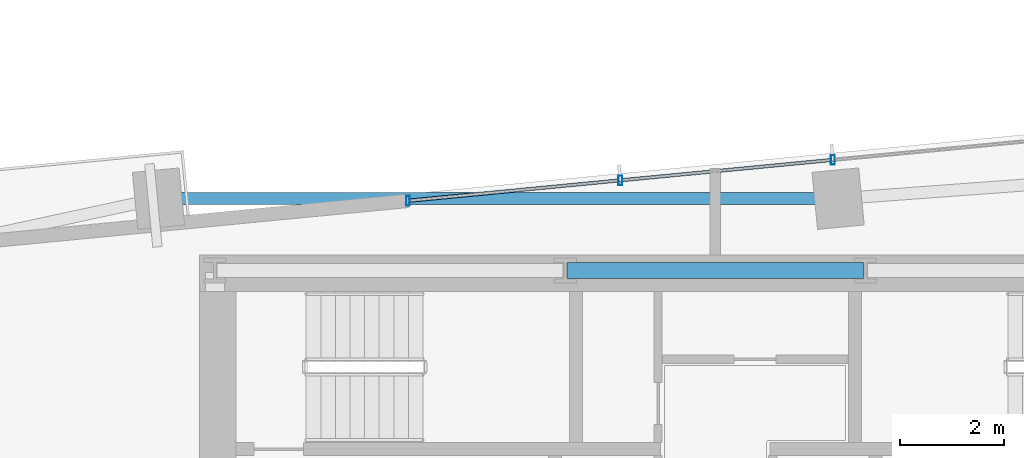
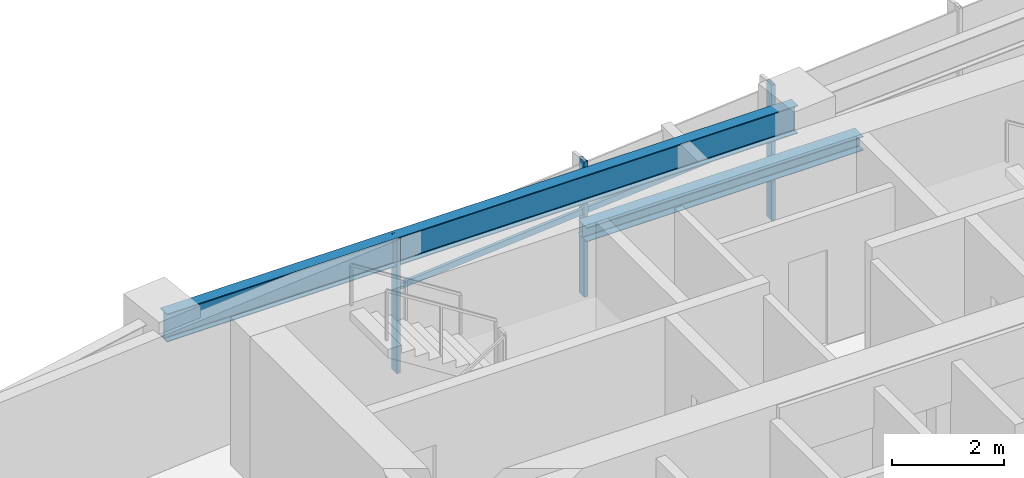
# One storey, part 10 of 25: 5 members, 2 beams, 1 element without a shape of its own.
"""IFC4 building model written with IfcOpenShell, lengths in metres."""

from ifc_helpers import new_model, si_unit, direction, frame, origin, origin_2d, place, context, subcontext, project, spatial, hollow_rectangle, i_section, extrude, source, transform, mapped, material, material_profile, profile_set, type_object, type_shapes, element, aggregate, save


model = new_model("IFC4")

# Units and contexts
model_context = context("Model", 3, precision=1e-05, world=origin(), true_north=direction((0.0, 1.0)))
body_context = subcontext(model_context, "Body", "Model", "MODEL_VIEW")
ifc_project = project(units=[si_unit("LENGTHUNIT", "METRE"), si_unit("AREAUNIT", "SQUARE_METRE"), si_unit("VOLUMEUNIT", "CUBIC_METRE"), si_unit("PLANEANGLEUNIT", "RADIAN"), si_unit("MASSUNIT", "GRAM", prefix="KILO")], contexts=[model_context])

# Site, building, storey
site_placement = place(None, origin())
site = spatial("IfcSite", under=ifc_project, at=site_placement, CompositionType="ELEMENT")
building_placement = place(site_placement, origin())
building = spatial("IfcBuilding", under=site, at=building_placement, Name="Astriad Promenade Condominiums", CompositionType="ELEMENT")
storey_placement = place(building_placement, frame((0.0, 0.0, 77.800048828125)))
storey = spatial("IfcBuildingStorey", under=building, at=storey_placement, Name="L21", CompositionType="ELEMENT", Elevation=77.800048828125)

# Beams
ifc_material_1 = material(Name="Steel ASTM A992 Grade 50", Category="steel")
ifc_material_profile_1 = material_profile(ifc_material_1, i_section(OverallWidth=0.3046875, OverallDepth=0.307861328125, WebThickness=0.010009765625, FlangeThickness=0.015380859375, FilletRadius=0.01513671875, at=origin_2d()), Name="W12X65")
ifc_profile_set_1 = profile_set([ifc_material_profile_1], Name="Steel ASTM A992 Grade 50")
beam_type_1 = type_object("IfcBeamType", Name="STEEL OPENING LINTEL W12X65", PredefinedType="LINTEL", material=ifc_profile_set_1)
shared_shape_1 = source(origin(), body_context, "Body", "SweptSolid", [
    extrude(i_section(OverallWidth=0.3046875, OverallDepth=0.307861328125, WebThickness=0.010009765625, FlangeThickness=0.015380859375, FilletRadius=0.01513671875, at=origin_2d()), origin(), (0.0, 0.0, 1.0), 5.68017578125),
])
type_shapes(beam_type_1, [shared_shape_1])
beam_1_placement = place(storey_placement, frame((33.159912109375, 24.0, 2.7861328125), z_axis=(1.0, 0.0, 0.0), x_axis=(0.0, 1.0, 0.0)))
element("IfcBeam", 1, at=beam_1_placement, inside=storey, type_object=beam_type_1, Name="Core Ring Beam CG-N2-L21", PredefinedType="LINTEL", context=body_context, shape_type="MappedRepresentation", body=[
    mapped(shared_shape_1, transform((0.0, 0.0, 0.0), scale=1.0)),
])
ifc_material_profile_2 = material_profile(ifc_material_1, i_section(OverallWidth=0.22900390625, OverallDepth=0.612060546875, WebThickness=0.011962890625, FlangeThickness=0.01953125, FilletRadius=0.017822265625, at=origin_2d()), Name="W24X84")
ifc_profile_set_2 = profile_set([ifc_material_profile_2], Name="Steel ASTM A992 Grade 50")
beam_type_2 = type_object("IfcBeamType", Name="STEEL SPANDREL BEAM W24X84", PredefinedType="SPANDREL", material=ifc_profile_set_2)
shared_shape_2 = source(origin(), body_context, "Body", "SweptSolid", [
    extrude(i_section(OverallWidth=0.22900390625, OverallDepth=0.612060546875, WebThickness=0.011962890625, FlangeThickness=0.01953125, FilletRadius=0.017822265625, at=origin_2d()), origin(), (0.0, 0.0, 1.0), 12.959716796875),
])
type_shapes(beam_type_2, [shared_shape_2])
beam_2_placement = place(storey_placement, frame((38.314697265625, 25.3798828125, 2.6337890625), z_axis=(-1.0, 0.0, 0.0), x_axis=(0.0, -1.0, 0.0)))
element("IfcBeam", 2, at=beam_2_placement, inside=storey, type_object=beam_type_2, Name="Perimeter Spandrel Beam SP-N2-L21", PredefinedType="SPANDREL", context=body_context, shape_type="MappedRepresentation", body=[
    mapped(shared_shape_2, transform((0.0, 0.0, 0.0), scale=1.0)),
])

# Curtain wall, members
ifc_material_2 = material(Name="Anodised aluminium Black Dark Glass Unitised", Category="aluminium")
curtain_wall_type = type_object("IfcCurtainWallType", Name="CW-B2-DARK", PredefinedType="USERDEFINED", material=ifc_material_2)
curtain_wall_placement = place(storey_placement, origin())
curtain_wall = element("IfcCurtainWall", 3, at=curtain_wall_placement, inside=storey, type_object=curtain_wall_type, Name="CW-L21-N", ObjectType="UNITISED_CURTAIN_WALL", PredefinedType="USERDEFINED")
ifc_material_3 = material(Name="Anodised aluminium 6063-T6 Black", Category="aluminium")
ifc_material_profile_3 = material_profile(ifc_material_3, hollow_rectangle(XDim=0.074951171875, YDim=0.18505859375, WallThickness=0.00439453125, at=origin_2d()), Name="ALU-MUL-75X185")
ifc_profile_set_3 = profile_set([ifc_material_profile_3], Name="Anodised aluminium 6063-T6 Black")
member_type_1 = type_object("IfcMemberType", Name="MUL-ALU-MUL-75X185", PredefinedType="MULLION", material=ifc_profile_set_3)
shared_shape_3 = source(origin(), body_context, "Body", "SweptSolid", [
    extrude(hollow_rectangle(XDim=0.074951171875, YDim=0.18505859375, WallThickness=0.00439453125, at=origin_2d()), origin(), (0.0, 0.0, 1.0), 2.93994140625),
])
type_shapes(member_type_1, [shared_shape_3])
member_1_placement = place(storey_placement, frame((30.101806640625, 25.339599609375, 0.0), z_axis=(0.0, 0.0, 1.0), x_axis=(1.0, 0.0, 0.0)))
member_1 = element("IfcMember", 4, at=member_1_placement, type_object=member_type_1, Name="CW-L21-N-MUL-00", PredefinedType="MULLION", context=body_context, shape_type="MappedRepresentation", body=[
    mapped(shared_shape_3, transform((0.0, 0.0, 0.0), scale=1.0)),
])
member_2_placement = place(storey_placement, frame((34.177734375, 25.732177734375, 0.0), z_axis=(0.0, 0.0, 1.0), x_axis=(1.0, 0.0, 0.0)))
member_2 = element("IfcMember", 5, at=member_2_placement, type_object=member_type_1, Name="CW-L21-N-MUL-01", PredefinedType="MULLION", context=body_context, shape_type="MappedRepresentation", body=[
    mapped(shared_shape_3, transform((0.0, 0.0, 0.0), scale=1.0)),
])
member_3_placement = place(storey_placement, frame((38.25390625, 26.12451171875, 0.0), z_axis=(0.0, 0.0, 1.0), x_axis=(1.0, 0.0, 0.0)))
member_3 = element("IfcMember", 6, at=member_3_placement, type_object=member_type_1, Name="CW-L21-N-MUL-02", PredefinedType="MULLION", context=body_context, shape_type="MappedRepresentation", body=[
    mapped(shared_shape_3, transform((0.0, 0.0, 0.0), scale=1.0)),
])
ifc_material_profile_4 = material_profile(ifc_material_3, hollow_rectangle(XDim=0.06494140625, YDim=0.1298828125, WallThickness=0.00390625, at=origin_2d()), Name="ALU-TRN-65X130")
ifc_profile_set_4 = profile_set([ifc_material_profile_4], Name="Anodised aluminium 6063-T6 Black")
member_type_2 = type_object("IfcMemberType", Name="TRN-ALU-TRN-65X130", PredefinedType="USERDEFINED", material=ifc_profile_set_4)
shared_shape_4 = source(origin(), body_context, "Body", "SweptSolid", [
    extrude(hollow_rectangle(XDim=0.06494140625, YDim=0.1298828125, WallThickness=0.00390625, at=origin_2d()), origin(), (0.0, 0.0, 1.0), 4.0947265625),
])
member_4_placement = place(storey_placement, frame((30.101806640625, 25.339599609375, 1.82275390625), z_axis=(0.995393613612, 0.095872592434, 0.0), x_axis=(-0.095872592434, 0.995393613612, 0.0)))
member_4 = element("IfcMember", 7, at=member_4_placement, type_object=member_type_2, Name="CW-L21-N-TRN-00-0", ObjectType="TRANSOM", PredefinedType="USERDEFINED", context=body_context, shape_type="MappedRepresentation", body=[
    mapped(shared_shape_4, transform((0.0, 0.0, 0.0), scale=1.0)),
])
shared_shape_5 = source(origin(), body_context, "Body", "SweptSolid", [
    extrude(hollow_rectangle(XDim=0.06494140625, YDim=0.1298828125, WallThickness=0.00390625, at=origin_2d()), origin(), (0.0, 0.0, 1.0), 4.094970703125),
])
type_shapes(member_type_2, [shared_shape_4, shared_shape_5])
member_5_placement = place(storey_placement, frame((34.177734375, 25.732177734375, 1.82275390625), z_axis=(0.995399849002, 0.095807831657, 0.0), x_axis=(-0.095807831657, 0.995399849002, 0.0)))
member_5 = element("IfcMember", 8, at=member_5_placement, type_object=member_type_2, Name="CW-L21-N-TRN-01-0", ObjectType="TRANSOM", PredefinedType="USERDEFINED", context=body_context, shape_type="MappedRepresentation", body=[
    mapped(shared_shape_5, transform((0.0, 0.0, 0.0), scale=1.0)),
])
aggregate(curtain_wall, [member_1, member_2, member_3, member_4, member_5])

save(model, "model.ifc")
